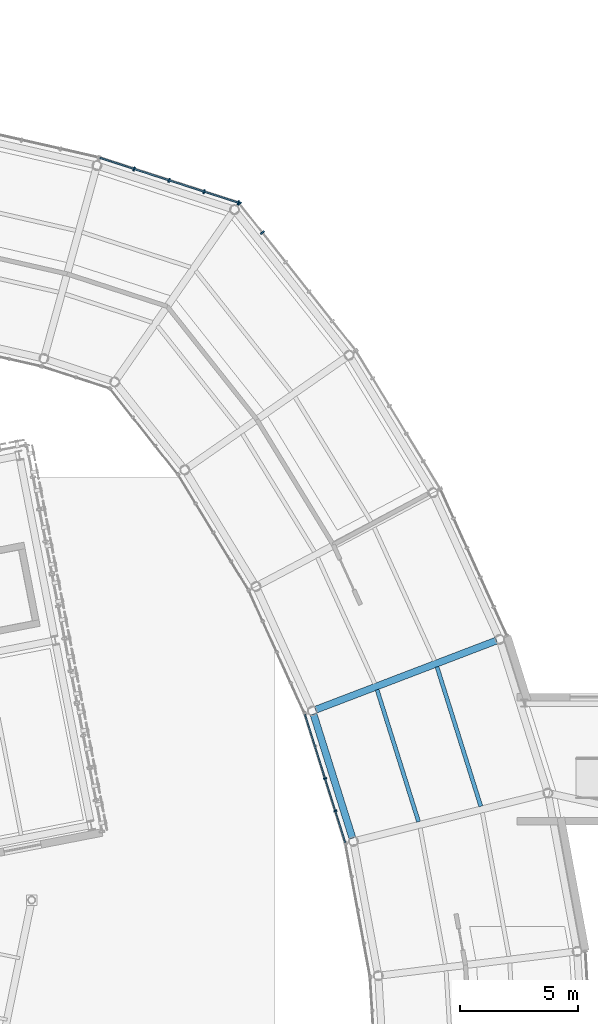
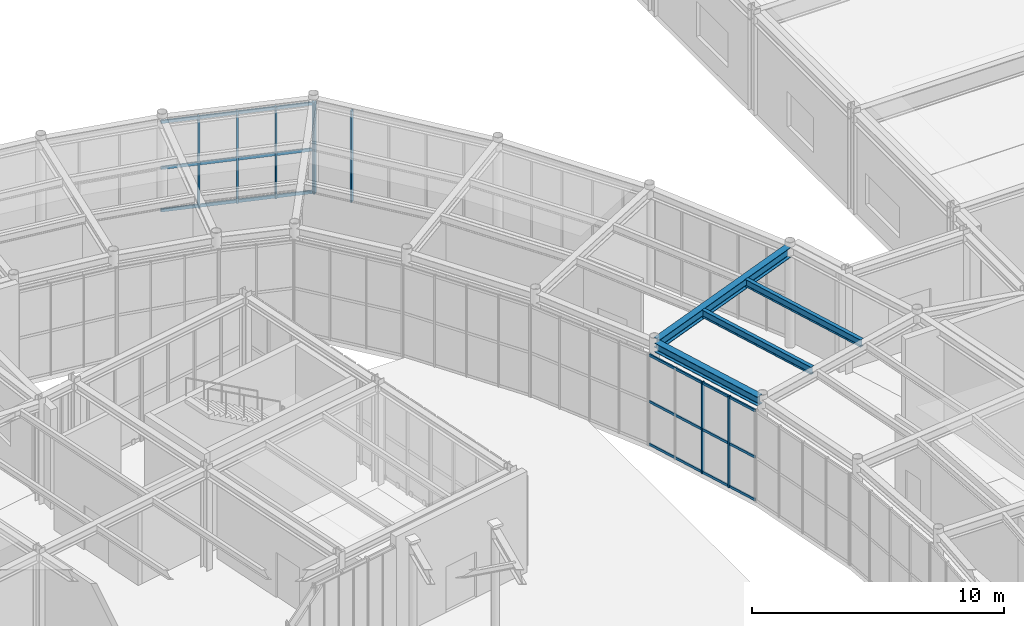
# One storey, part 49 of 97: 14 members, 4 beams, 3 elements without a shape of their own.
"""IFC4 building model written with IfcOpenShell, lengths in metres."""

import ifcopenshell
import ifcopenshell.guid

model = None  # the IFC model being written
_history = None  # IfcOwnerHistory: only IFC2X3 demands one
_inside = {}  # id of a spatial element -> (the spatial element, [elements in it])
_under = {}  # id of a project, library or spatial element -> (it, [spatial elements below it])
_declared = {}  # id of a project -> (the project, [libraries it declares])
_typed = {}  # id of a type object -> (the type object, [elements of that type])
_made_of = {}  # id of a material, layer set ... -> (it, [elements and type objects made of it])


def new_model(schema):
    """Start an empty IFC model of exactly this schema.

    Asked for "IFC4X3", IfcOpenShell would pick the latest addendum, in which some entities
    have other attributes; the version numbers below select the first issue.
    IFC2X3 requires an IfcOwnerHistory on every rooted entity: one is made here for all.
    """
    global model, _history
    if schema == "IFC4X3":
        model = ifcopenshell.file(schema_version=(4, 3, 0, 0))
    else:
        model = ifcopenshell.file(schema=schema)
    _inside.clear()
    _under.clear()
    _declared.clear()
    _typed.clear()
    _made_of.clear()
    _history = None
    if model.schema == "IFC2X3":
        org = make("IfcOrganization", Name="unknown")
        user = make(
            "IfcPersonAndOrganization",
            ThePerson=make("IfcPerson", FamilyName="unknown"),
            TheOrganization=org,
        )
        app = make(
            "IfcApplication",
            ApplicationDeveloper=org,
            Version="unknown",
            ApplicationFullName="unknown",
            ApplicationIdentifier="unknown",
        )
        _history = make(
            "IfcOwnerHistory",
            OwningUser=user,
            OwningApplication=app,
            ChangeAction="ADDED",
            CreationDate=0,
        )
    return model


def make(cls, **values):
    """One entity of the class cls with the attributes given. An attribute that is None is left unset."""
    return model.create_entity(
        cls, **{name: value for name, value in values.items() if value is not None}
    )


def rooted(cls, **values):
    """An entity with a GlobalId (a new one), such as an element, a storey or a relation."""
    return make(cls, GlobalId=ifcopenshell.guid.new(), OwnerHistory=_history, **values)


def si_unit(unit_type, name, prefix=None):
    """IfcSIUnit, for example si_unit("LENGTHUNIT", "METRE", prefix="MILLI")."""
    return make("IfcSIUnit", UnitType=unit_type, Prefix=prefix, Name=name)


def assignment(units):
    """IfcUnitAssignment: the units of a project."""
    return None if units is None else make("IfcUnitAssignment", Units=units)


def point(xyz):
    """IfcCartesianPoint."""
    return None if xyz is None else make("IfcCartesianPoint", Coordinates=xyz)


def direction(xyz):
    """IfcDirection."""
    return None if xyz is None else make("IfcDirection", DirectionRatios=xyz)


def frame(location, z_axis=None, x_axis=None):
    """IfcAxis2Placement3D, a coordinate frame: its origin and axes. An axis left out is left unset."""
    return make(
        "IfcAxis2Placement3D",
        Location=point(location),
        Axis=direction(z_axis),
        RefDirection=direction(x_axis),
    )


def frame_2d(location, x_axis=None):
    """IfcAxis2Placement2D, a coordinate frame in the plane: its origin and x axis."""
    return make(
        "IfcAxis2Placement2D", Location=point(location), RefDirection=direction(x_axis)
    )


def origin():
    """The frame at (0, 0, 0) with its axes left unset."""
    return frame((0.0, 0.0, 0.0))


def origin_2d():
    """The frame at (0, 0) in the plane with its x axis left unset."""
    return frame_2d((0.0, 0.0))


def place(relative_to, where):
    """IfcLocalPlacement: puts the frame where relative to a parent placement (None: the world)."""
    return make(
        "IfcLocalPlacement", PlacementRelTo=relative_to, RelativePlacement=where
    )


def context(
    kind, dimensions, precision=None, world=None, true_north=None, identifier=None
):
    """IfcGeometricRepresentationContext, for example the 3D "Model" context."""
    return make(
        "IfcGeometricRepresentationContext",
        ContextIdentifier=identifier,
        ContextType=kind,
        CoordinateSpaceDimension=dimensions,
        Precision=precision,
        WorldCoordinateSystem=world,
        TrueNorth=true_north,
    )


def subcontext(parent, identifier, kind, view, scale=None):
    """IfcGeometricRepresentationSubContext, for example "Body" below "Model"."""
    return make(
        "IfcGeometricRepresentationSubContext",
        ContextIdentifier=identifier,
        ContextType=kind,
        ParentContext=parent,
        TargetScale=scale,
        TargetView=view,
    )


def project(units=None, contexts=None):
    """IfcProject with its units and contexts."""
    return rooted(
        "IfcProject",
        Name="project",
        RepresentationContexts=contexts,
        UnitsInContext=assignment(units),
    )


def spatial(cls, under=None, at=None, **own):
    """A site, building, storey or space (cls), placed at a placement, below another one or the project."""
    s = rooted(cls, ObjectPlacement=at, **own)
    if under is not None:
        _under.setdefault(under.id(), (under, []))[1].append(s)
    return s


def profile(cls, at=None, kind="AREA", **sizes):
    """A parametric profile (cls). Its sizes go by their IFC names, for example OverallWidth=200.0."""
    return make(cls, ProfileType=kind, Position=at, **sizes)


def rectangle(**sizes):
    """IfcRectangleProfileDef."""
    return profile("IfcRectangleProfileDef", **sizes)


def i_section(**sizes):
    """IfcIShapeProfileDef."""
    return profile("IfcIShapeProfileDef", **sizes)


def extrude(swept, where, along, depth):
    """IfcExtrudedAreaSolid: the profile swept, set in the frame where, extruded along a direction by depth."""
    return make(
        "IfcExtrudedAreaSolid",
        SweptArea=swept,
        Position=where,
        ExtrudedDirection=direction(along),
        Depth=depth,
    )


def shape(context_of_items, identifier, shape_type, items):
    """IfcShapeRepresentation: the items that make up one representation, for example the "Body"."""
    return make(
        "IfcShapeRepresentation",
        ContextOfItems=context_of_items,
        RepresentationIdentifier=identifier,
        RepresentationType=shape_type,
        Items=items,
    )


def material(Name=None, Category=None):
    """IfcMaterial."""
    return make("IfcMaterial", Name=Name, Category=Category)


def material_profile(
    of_material, cross_section, Name=None, Category=None, Priority=None
):
    """IfcMaterialProfile: a cross section and its material."""
    return make(
        "IfcMaterialProfile",
        Name=Name,
        Material=of_material,
        Profile=cross_section,
        Priority=Priority,
        Category=Category,
    )


def profile_set(profiles, Name=None, composite=None):
    """IfcMaterialProfileSet."""
    return make(
        "IfcMaterialProfileSet",
        Name=Name,
        MaterialProfiles=profiles,
        CompositeProfile=composite,
    )


def made_of(thing, what):
    """Note that an element or type object is made of a material, layer set ...; save() writes the relation."""
    if what is not None:
        _made_of.setdefault(what.id(), (what, []))[1].append(thing)
    return thing


def type_object(cls, material=None, **own):
    """A type object (cls), such as IfcWallType, which elements share."""
    return made_of(rooted(cls, **own), material)


def element(
    cls,
    number,
    at=None,
    inside=None,
    cuts=None,
    type_object=None,
    material=None,
    context=None,
    identifier="Body",
    shape_type=None,
    held_by="IfcProductDefinitionShape",
    body=None,
    shapes=None,
    **own,
):
    """One element of the class cls, such as IfcWall. Its Tag is "e" and its number.

    at: its placement. inside: the storey or other place that contains it. cuts: it is an
    opening in that element (IfcRelVoidsElement). A single representation is given by context,
    identifier, shape_type and body (its items); several are given by shapes. held_by: the class
    of the entity that holds the representations. save() writes the other relations.
    """
    e = rooted(cls, Tag="e%d" % number, ObjectPlacement=at, **own)
    if body is not None:
        shapes = [shape(context, identifier, shape_type, body)]
    if shapes is not None:
        e.Representation = make(held_by, Representations=shapes)
    if inside is not None:
        _inside.setdefault(inside.id(), (inside, []))[1].append(e)
    if cuts is not None:
        rooted(
            "IfcRelVoidsElement", RelatingBuildingElement=cuts, RelatedOpeningElement=e
        )
    if type_object is not None:
        _typed.setdefault(type_object.id(), (type_object, []))[1].append(e)
    return made_of(e, material)


def aggregate(whole, parts):
    """IfcRelAggregates: a whole, such as a stair, and the parts it consists of."""
    return rooted("IfcRelAggregates", RelatingObject=whole, RelatedObjects=parts)


def save(model, path):
    """Write the relations noted so far, then the file.

    IfcRelAggregates (storeys below a building ...), IfcRelContainedInSpatialStructure (elements
    in a storey), IfcRelDefinesByType, IfcRelAssociatesMaterial and IfcRelDeclares: one each for
    every whole, place, type object, material and project.
    """
    for whole, parts in _under.values():
        aggregate(whole, parts)
    for where, things in _inside.values():
        rooted(
            "IfcRelContainedInSpatialStructure",
            RelatedElements=things,
            RelatingStructure=where,
        )
    for kind, things in _typed.values():
        rooted("IfcRelDefinesByType", RelatedObjects=things, RelatingType=kind)
    for what, things in _made_of.values():
        rooted("IfcRelAssociatesMaterial", RelatedObjects=things, RelatingMaterial=what)
    for by, libraries in _declared.values():
        rooted("IfcRelDeclares", RelatingContext=by, RelatedDefinitions=libraries)
    model.write(path)


model = new_model("IFC4")

# Units and contexts
model_context = context("Model", 3, precision=1e-05, world=origin(), true_north=direction((0.0, 1.0)))
body_context = subcontext(model_context, "Body", "Model", "MODEL_VIEW")
ifc_project = project(units=[si_unit("LENGTHUNIT", "METRE"), si_unit("AREAUNIT", "SQUARE_METRE"), si_unit("VOLUMEUNIT", "CUBIC_METRE"), si_unit("PLANEANGLEUNIT", "RADIAN"), si_unit("MASSUNIT", "GRAM", prefix="KILO")], contexts=[model_context])

# Site, building, storey
site_placement = place(None, origin())
site = spatial("IfcSite", under=ifc_project, at=site_placement, CompositionType="ELEMENT")
building_placement = place(site_placement, origin())
building = spatial("IfcBuilding", under=site, at=building_placement, Name="Varnklinge Art Gallery", CompositionType="ELEMENT")
storey_placement = place(building_placement, origin())
storey = spatial("IfcBuildingStorey", under=building, at=storey_placement, Name="L00", CompositionType="ELEMENT", Elevation=0.0)

# Beams
ifc_material_1 = material(Name="Steel S355", Category="steel")
ifc_material_profile_1 = material_profile(ifc_material_1, i_section(OverallWidth=0.300048828125, OverallDepth=0.489990234375, WebThickness=0.011962890625, FlangeThickness=0.02294921875, FilletRadius=0.027099609375, at=origin_2d()), Name="HEA 500")
ifc_profile_set_1 = profile_set([ifc_material_profile_1], Name="Steel S355")
beam_type_1 = type_object("IfcBeamType", Name="BM-07", PredefinedType="BEAM", material=ifc_profile_set_1)
beam_1_placement = place(storey_placement, frame((107.415771484375, 75.047119140625, 4.635009765625), z_axis=(-0.934013153302, -0.357238616976, 0.0), x_axis=(0.357238616976, -0.934013153302, 0.0)))
element("IfcBeam", 1, at=beam_1_placement, inside=storey, type_object=beam_type_1, Name="L00 BM-07 BM-V2-L01-R10", PredefinedType="BEAM", context=body_context, shape_type="SweptSolid", body=[
    extrude(i_section(OverallWidth=0.300048828125, OverallDepth=0.489990234375, WebThickness=0.011962890625, FlangeThickness=0.02294921875, FilletRadius=0.027099609375, at=origin_2d()), origin(), (0.0, 0.0, 1.0), 8.237060546875),
])
ifc_material_2 = material(Name="Steel S355", Category="steel")
ifc_material_profile_2 = material_profile(ifc_material_2, i_section(OverallWidth=0.169921875, OverallDepth=0.360107421875, WebThickness=0.008056640625, FlangeThickness=0.0126953125, FilletRadius=0.01806640625, at=origin_2d()), Name="IPE 360")
ifc_profile_set_2 = profile_set([ifc_material_profile_2], Name="Steel S355")
beam_type_2 = type_object("IfcBeamType", Name="JST-06", PredefinedType="JOIST", material=ifc_profile_set_2)
beam_2_placement = place(storey_placement, frame((106.74609375, 68.001220703125, 4.699951171875), z_axis=(-0.29971318729, 0.954029352465, 0.0), x_axis=(-0.954029352465, -0.29971318729, 0.0)))
element("IfcBeam", 2, at=beam_2_placement, inside=storey, type_object=beam_type_2, Name="L00 JST-06 JST-V2-L01-09-1", PredefinedType="JOIST", context=body_context, shape_type="SweptSolid", body=[
    extrude(i_section(OverallWidth=0.169921875, OverallDepth=0.360107421875, WebThickness=0.008056640625, FlangeThickness=0.0126953125, FilletRadius=0.01806640625, at=origin_2d()), origin(), (0.0, 0.0, 1.0), 6.213623046875),
])
beam_3_placement = place(storey_placement, frame((104.10107421875, 67.343994140625, 4.699951171875), z_axis=(-0.299756442746, 0.954015762465, 0.0), x_axis=(-0.954015762465, -0.299756442746, 0.0)))
element("IfcBeam", 3, at=beam_3_placement, inside=storey, type_object=beam_type_2, Name="L00 JST-06 JST-V2-L01-09-2", PredefinedType="JOIST", context=body_context, shape_type="SweptSolid", body=[
    extrude(i_section(OverallWidth=0.169921875, OverallDepth=0.360107421875, WebThickness=0.008056640625, FlangeThickness=0.0126953125, FilletRadius=0.01806640625, at=origin_2d()), origin(), (0.0, 0.0, 1.0), 5.882080078125),
])

# Curtain wall, members
ifc_material_3 = material(Name="Anodised Aluminium", Category="aluminium")
curtain_wall_type_1 = type_object("IfcCurtainWallType", Name="CW-R01", PredefinedType="USERDEFINED", material=ifc_material_3)
curtain_wall_1_placement = place(storey_placement, origin())
curtain_wall_1 = element("IfcCurtainWall", 4, at=curtain_wall_1_placement, inside=storey, type_object=curtain_wall_type_1, Name="L00 Curtain Wall CW-V2O-L00-12", ObjectType="UNITISED CURTAIN WALL", PredefinedType="USERDEFINED")
ifc_material_4 = material(Name="Anodised Aluminium", Category="aluminium")
ifc_material_profile_3 = material_profile(ifc_material_4, rectangle(XDim=0.06494140625, YDim=0.179931640625, at=origin_2d()), Name="ALU 65x180")
ifc_profile_set_3 = profile_set([ifc_material_profile_3], Name="Anodised Aluminium")
member_type_1 = type_object("IfcMemberType", Name="MUL-01", PredefinedType="MULLION", material=ifc_profile_set_3)
member_1_placement = place(storey_placement, frame((97.4638671875, 92.392822265625, 0.0), z_axis=(0.0, 0.0, 1.0), x_axis=(-0.620737354217, 0.784018582101, 0.0)))
member_1 = element("IfcMember", 5, at=member_1_placement, type_object=member_type_1, Name="CW-V2O-L00-12 Mullion 5", PredefinedType="MULLION", context=body_context, shape_type="SweptSolid", body=[
    extrude(rectangle(XDim=0.06494140625, YDim=0.179931640625, at=origin_2d()), origin(), (0.0, 0.0, 1.0), 4.429931640625),
])
member_2_placement = place(storey_placement, frame((96.49072265625, 93.62158203125, 0.0), z_axis=(0.0, 0.0, 1.0), x_axis=(-0.620737354217, 0.784018582101, 0.0)))
member_2 = element("IfcMember", 6, at=member_2_placement, type_object=member_type_1, Name="CW-V2O-L00-12 Mullion 6", PredefinedType="MULLION", context=body_context, shape_type="SweptSolid", body=[
    extrude(rectangle(XDim=0.06494140625, YDim=0.179931640625, at=origin_2d()), origin(), (0.0, 0.0, 1.0), 4.429931640625),
])
aggregate(curtain_wall_1, [member_1, member_2])

curtain_wall_2_placement = place(storey_placement, origin())
curtain_wall_2 = element("IfcCurtainWall", 7, at=curtain_wall_2_placement, inside=storey, type_object=curtain_wall_type_1, Name="L00 Curtain Wall CW-V2O-L00-13", ObjectType="UNITISED CURTAIN WALL", PredefinedType="USERDEFINED")
member_3_placement = place(storey_placement, frame((96.439697265625, 93.6572265625, 0.0), z_axis=(0.0, 0.0, 1.0), x_axis=(-0.951272019071, 0.30835295642, 0.0)))
member_3 = element("IfcMember", 8, at=member_3_placement, type_object=member_type_1, Name="CW-V2O-L00-13 Mullion 1", PredefinedType="MULLION", context=body_context, shape_type="SweptSolid", body=[
    extrude(rectangle(XDim=0.06494140625, YDim=0.179931640625, at=origin_2d()), origin(), (0.0, 0.0, 1.0), 4.429931640625),
])
member_4_placement = place(storey_placement, frame((94.983642578125, 94.129150390625, 0.0), z_axis=(0.0, 0.0, 1.0), x_axis=(-0.951272019071, 0.30835295642, 0.0)))
member_4 = element("IfcMember", 9, at=member_4_placement, type_object=member_type_1, Name="CW-V2O-L00-13 Mullion 2", PredefinedType="MULLION", context=body_context, shape_type="SweptSolid", body=[
    extrude(rectangle(XDim=0.06494140625, YDim=0.179931640625, at=origin_2d()), origin(), (0.0, 0.0, 1.0), 4.429931640625),
])
member_5_placement = place(storey_placement, frame((93.49658203125, 94.611083984375, 0.0), z_axis=(0.0, 0.0, 1.0), x_axis=(-0.951272019071, 0.30835295642, 0.0)))
member_5 = element("IfcMember", 10, at=member_5_placement, type_object=member_type_1, Name="CW-V2O-L00-13 Mullion 3", PredefinedType="MULLION", context=body_context, shape_type="SweptSolid", body=[
    extrude(rectangle(XDim=0.06494140625, YDim=0.179931640625, at=origin_2d()), origin(), (0.0, 0.0, 1.0), 4.429931640625),
])
member_6_placement = place(storey_placement, frame((92.009521484375, 95.093017578125, 0.0), z_axis=(0.0, 0.0, 1.0), x_axis=(-0.951272019071, 0.30835295642, 0.0)))
member_6 = element("IfcMember", 11, at=member_6_placement, type_object=member_type_1, Name="CW-V2O-L00-13 Mullion 4", PredefinedType="MULLION", context=body_context, shape_type="SweptSolid", body=[
    extrude(rectangle(XDim=0.06494140625, YDim=0.179931640625, at=origin_2d()), origin(), (0.0, 0.0, 1.0), 4.429931640625),
])

ifc_material_5 = material(Name="Anodised Aluminium", Category="aluminium")
curtain_wall_type_2 = type_object("IfcCurtainWallType", Name="CW-R03", PredefinedType="USERDEFINED", material=ifc_material_5)
curtain_wall_3_placement = place(storey_placement, origin())
curtain_wall_3 = element("IfcCurtainWall", 12, at=curtain_wall_3_placement, inside=storey, type_object=curtain_wall_type_2, Name="L00 Curtain Wall CW-V2I-L00-09", ObjectType="UNITISED CURTAIN WALL", PredefinedType="USERDEFINED")
ifc_material_6 = material(Name="Anodised Aluminium", Category="aluminium")
ifc_material_profile_4 = material_profile(ifc_material_6, rectangle(XDim=0.06005859375, YDim=0.139892578125, at=origin_2d()), Name="ALU 60x140")
ifc_profile_set_4 = profile_set([ifc_material_profile_4], Name="Anodised Aluminium")
member_type_2 = type_object("IfcMemberType", Name="MUL-03", PredefinedType="MULLION", material=ifc_profile_set_4)
member_7_placement = place(storey_placement, frame((100.128662109375, 69.1787109375, 0.0), z_axis=(0.0, 0.0, 1.0), x_axis=(0.299706904751, -0.954031326134, 0.0)))
member_7 = element("IfcMember", 13, at=member_7_placement, type_object=member_type_2, Name="CW-V2I-L00-09 Mullion 3", PredefinedType="MULLION", context=body_context, shape_type="SweptSolid", body=[
    extrude(rectangle(XDim=0.06005859375, YDim=0.139892578125, at=origin_2d()), origin(), (0.0, 0.0, 1.0), 4.429931640625),
])
member_8_placement = place(storey_placement, frame((100.560791015625, 67.802978515625, 0.0), z_axis=(0.0, 0.0, 1.0), x_axis=(0.299706904751, -0.954031326134, 0.0)))
member_8 = element("IfcMember", 14, at=member_8_placement, type_object=member_type_2, Name="CW-V2I-L00-09 Mullion 4", PredefinedType="MULLION", context=body_context, shape_type="SweptSolid", body=[
    extrude(rectangle(XDim=0.06005859375, YDim=0.139892578125, at=origin_2d()), origin(), (0.0, 0.0, 1.0), 4.429931640625),
])

# Beam
ifc_material_7 = material(Name="Steel S355", Category="steel")
ifc_material_profile_5 = material_profile(ifc_material_7, i_section(OverallWidth=0.300048828125, OverallDepth=0.43994140625, WebThickness=0.011474609375, FlangeThickness=0.02099609375, FilletRadius=0.027099609375, at=origin_2d()), Name="HEA 450")
ifc_profile_set_5 = profile_set([ifc_material_profile_5], Name="Steel S355")
beam_type_3 = type_object("IfcBeamType", Name="SPB-02", PredefinedType="SPANDREL", material=ifc_profile_set_5)
beam_4_placement = place(storey_placement, frame((101.290771484375, 66.6455078125, 4.659912109375), z_axis=(-0.299742786947, 0.954020053077, 0.0), x_axis=(-0.954020053077, -0.299742786947, 0.0)))
element("IfcBeam", 15, at=beam_4_placement, inside=storey, type_object=beam_type_3, Name="L00 SPB-02 BM-V2-L01-I09", PredefinedType="SPANDREL", context=body_context, shape_type="SweptSolid", body=[
    extrude(i_section(OverallWidth=0.300048828125, OverallDepth=0.43994140625, WebThickness=0.011474609375, FlangeThickness=0.02099609375, FilletRadius=0.027099609375, at=origin_2d()), origin(), (0.0, 0.0, 1.0), 5.529541015625),
])

# Member
ifc_material_8 = material(Name="Anodised Aluminium", Category="aluminium")
ifc_material_profile_6 = material_profile(ifc_material_8, rectangle(XDim=0.06494140625, YDim=0.14990234375, at=origin_2d()), Name="ALU 65x150")
ifc_profile_set_6 = profile_set([ifc_material_profile_6], Name="Anodised Aluminium")
member_type_3 = type_object("IfcMemberType", Name="TRN-01", PredefinedType="USERDEFINED", material=ifc_profile_set_6)
member_9_placement = place(storey_placement, frame((96.439697265625, 93.6572265625, 0.074951171875), z_axis=(-0.951297583727, 0.308274078045, 0.0), x_axis=(-0.308274078045, -0.951297583727, 0.0)))
member_9 = element("IfcMember", 16, at=member_9_placement, type_object=member_type_3, Name="CW-V2O-L00-13 Transom 1", ObjectType="TRANSOM", PredefinedType="USERDEFINED", context=body_context, shape_type="SweptSolid", body=[
    extrude(rectangle(XDim=0.06494140625, YDim=0.14990234375, at=origin_2d()), origin(), (0.0, 0.0, 1.0), 6.1875),
])

member_10_placement = place(storey_placement, frame((96.439697265625, 93.6572265625, 2.12646484375), z_axis=(-0.951297583727, 0.308274078045, 0.0), x_axis=(-0.308274078045, -0.951297583727, 0.0)))
member_10 = element("IfcMember", 17, at=member_10_placement, type_object=member_type_3, Name="CW-V2O-L00-13 Transom 2", ObjectType="TRANSOM", PredefinedType="USERDEFINED", context=body_context, shape_type="SweptSolid", body=[
    extrude(rectangle(XDim=0.06494140625, YDim=0.14990234375, at=origin_2d()), origin(), (0.0, 0.0, 1.0), 6.1875),
])

member_11_placement = place(storey_placement, frame((96.439697265625, 93.6572265625, 4.35498046875), z_axis=(-0.951297583727, 0.308274078045, 0.0), x_axis=(-0.308274078045, -0.951297583727, 0.0)))
member_11 = element("IfcMember", 18, at=member_11_placement, type_object=member_type_3, Name="CW-V2O-L00-13 Transom 3", ObjectType="TRANSOM", PredefinedType="USERDEFINED", context=body_context, shape_type="SweptSolid", body=[
    extrude(rectangle(XDim=0.06494140625, YDim=0.14990234375, at=origin_2d()), origin(), (0.0, 0.0, 1.0), 6.1875),
])

aggregate(curtain_wall_2, [member_3, member_4, member_5, member_6, member_9, member_10, member_11])

ifc_material_9 = material(Name="Anodised Aluminium", Category="aluminium")
ifc_material_profile_7 = material_profile(ifc_material_9, rectangle(XDim=0.06005859375, YDim=0.1201171875, at=origin_2d()), Name="ALU 60x120")
ifc_profile_set_7 = profile_set([ifc_material_profile_7], Name="Anodised Aluminium")
member_type_4 = type_object("IfcMemberType", Name="TRN-02", PredefinedType="USERDEFINED", material=ifc_profile_set_7)
member_12_placement = place(storey_placement, frame((99.2734375, 71.90087890625, 0.06005859375), z_axis=(0.29975317852, -0.954016788095, 0.0), x_axis=(0.954016788095, 0.29975317852, 0.0)))
member_12 = element("IfcMember", 19, at=member_12_placement, type_object=member_type_4, Name="CW-V2I-L00-09 Transom 1", ObjectType="TRANSOM", PredefinedType="USERDEFINED", context=body_context, shape_type="SweptSolid", body=[
    extrude(rectangle(XDim=0.06005859375, YDim=0.1201171875, at=origin_2d()), origin(), (0.0, 0.0, 1.0), 5.70703125),
])

member_13_placement = place(storey_placement, frame((99.2734375, 71.90087890625, 2.12646484375), z_axis=(0.29975317852, -0.954016788095, 0.0), x_axis=(0.954016788095, 0.29975317852, 0.0)))
member_13 = element("IfcMember", 20, at=member_13_placement, type_object=member_type_4, Name="CW-V2I-L00-09 Transom 2", ObjectType="TRANSOM", PredefinedType="USERDEFINED", context=body_context, shape_type="SweptSolid", body=[
    extrude(rectangle(XDim=0.06005859375, YDim=0.1201171875, at=origin_2d()), origin(), (0.0, 0.0, 1.0), 5.70703125),
])

member_14_placement = place(storey_placement, frame((99.2734375, 71.90087890625, 4.3701171875), z_axis=(0.29975317852, -0.954016788095, 0.0), x_axis=(0.954016788095, 0.29975317852, 0.0)))
member_14 = element("IfcMember", 21, at=member_14_placement, type_object=member_type_4, Name="CW-V2I-L00-09 Transom 3", ObjectType="TRANSOM", PredefinedType="USERDEFINED", context=body_context, shape_type="SweptSolid", body=[
    extrude(rectangle(XDim=0.06005859375, YDim=0.1201171875, at=origin_2d()), origin(), (0.0, 0.0, 1.0), 5.70703125),
])

aggregate(curtain_wall_3, [member_7, member_8, member_12, member_13, member_14])

save(model, "model.ifc")
